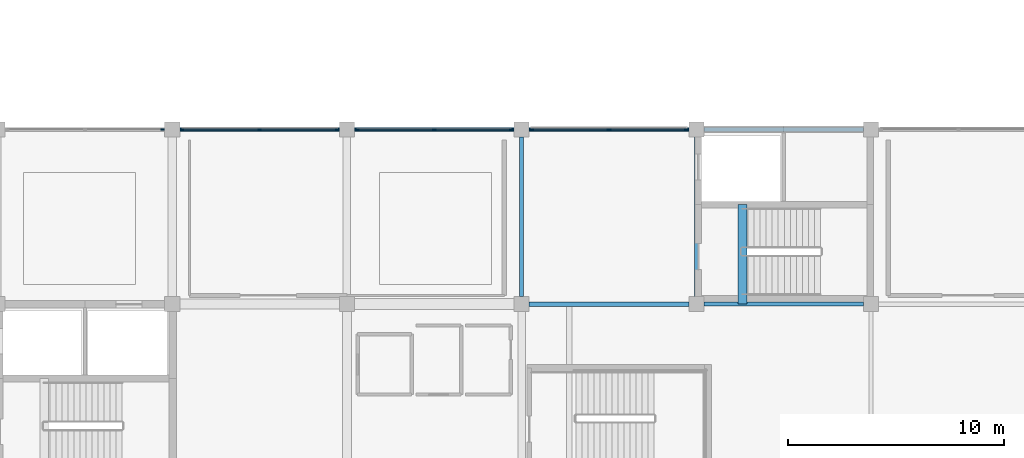
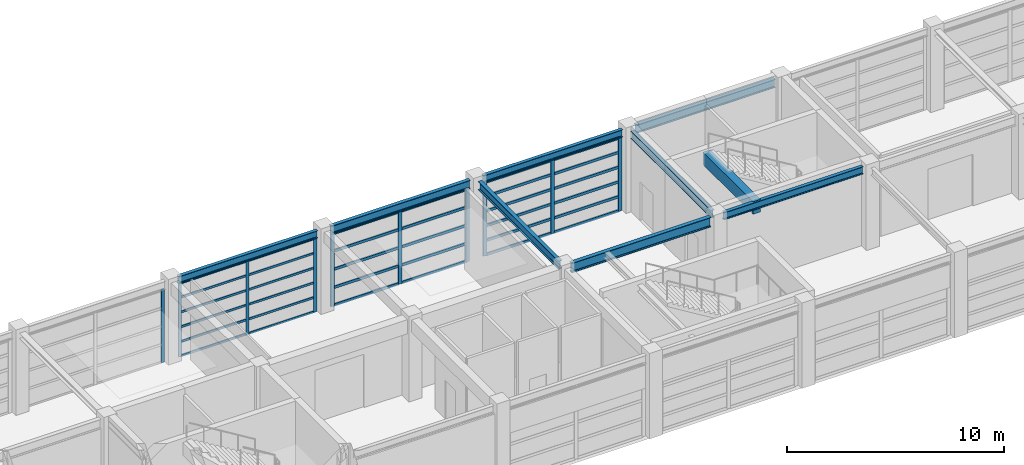
# One storey, part 26 of 56: 44 members, 9 beams, 4 elements without a shape of their own.
"""IFC4 building model written with IfcOpenShell, lengths in metres."""

from ifc_helpers import new_model, si_unit, direction, frame, origin, origin_2d, place, context, subcontext, project, spatial, rectangle, i_section, extrude, material, material_profile, profile_set, type_object, element, aggregate, save


model = new_model("IFC4")

# Units and contexts
model_context = context("Model", 3, precision=1e-05, world=origin(), true_north=direction((0.0, 1.0)))
body_context = subcontext(model_context, "Body", "Model", "MODEL_VIEW")
ifc_project = project(units=[si_unit("LENGTHUNIT", "METRE"), si_unit("AREAUNIT", "SQUARE_METRE"), si_unit("VOLUMEUNIT", "CUBIC_METRE"), si_unit("PLANEANGLEUNIT", "RADIAN"), si_unit("MASSUNIT", "GRAM", prefix="KILO")], contexts=[model_context])

# Site, building, storey
site_placement = place(None, origin())
site = spatial("IfcSite", under=ifc_project, at=site_placement, CompositionType="ELEMENT")
building_placement = place(site_placement, origin())
building = spatial("IfcBuilding", under=site, at=building_placement, Name="Parian Resonance Hall", CompositionType="ELEMENT")
storey_placement = place(building_placement, frame((0.0, 0.0, 5.39990234375)))
storey = spatial("IfcBuildingStorey", under=building, at=storey_placement, Name="L01", CompositionType="ELEMENT", Elevation=5.39990234375)

# Beams
ifc_material_1 = material(Name="Concrete C40/50", Category="concrete")
ifc_material_profile_1 = material_profile(ifc_material_1, rectangle(XDim=0.39990234375, YDim=0.699951171875, at=origin_2d()), Name="RC-BM-400x700")
ifc_profile_set_1 = profile_set([ifc_material_profile_1], Name="Concrete C40/50")
beam_type_1 = type_object("IfcBeamType", Name="BM-RC400x700", PredefinedType="BEAM", material=ifc_profile_set_1)
beam_1_placement = place(storey_placement, frame((91.239990234375, 81.0, 4.210205078125), z_axis=(0.0, 1.0, 0.0), x_axis=(-1.0, 0.0, 0.0)))
element("IfcBeam", 1, at=beam_1_placement, inside=storey, type_object=beam_type_1, Name="Core K5 stair arrival trimmer beam L01", PredefinedType="BEAM", context=body_context, shape_type="SweptSolid", body=[
    extrude(rectangle(XDim=0.39990234375, YDim=0.699951171875, at=origin_2d()), origin(), (0.0, 0.0, 1.0), 4.610107421875),
])
ifc_material_2 = material(Name="Steel S355", Category="steel")
ifc_material_profile_2 = material_profile(ifc_material_2, i_section(OverallWidth=0.180908203125, OverallDepth=0.4169921875, WebThickness=0.010986328125, FlangeThickness=0.018310546875, FilletRadius=0.01513671875, at=origin_2d()), Name="W410x85")
ifc_profile_set_2 = profile_set([ifc_material_profile_2], Name="Steel S355")
beam_type_2 = type_object("IfcBeamType", Name="BM-W410x85", PredefinedType="SPANDREL", material=ifc_profile_set_2)
beam_2_placement = place(storey_placement, frame((65.14990234375, 89.10009765625, 4.3515625), z_axis=(1.0, 0.0, 0.0), x_axis=(0.0, 1.0, 0.0)))
element("IfcBeam", 2, at=beam_2_placement, inside=storey, type_object=beam_type_2, Name="GX-L01-0545", PredefinedType="SPANDREL", context=body_context, shape_type="SweptSolid", body=[
    extrude(i_section(OverallWidth=0.180908203125, OverallDepth=0.4169921875, WebThickness=0.010986328125, FlangeThickness=0.018310546875, FilletRadius=0.01513671875, at=origin_2d()), origin(), (0.0, 0.0, 1.0), 7.400146484375),
])
beam_3_placement = place(storey_placement, frame((81.35009765625, 89.10009765625, 4.3515625), z_axis=(1.0, 0.0, 0.0), x_axis=(0.0, 1.0, 0.0)))
element("IfcBeam", 3, at=beam_3_placement, inside=storey, type_object=beam_type_2, Name="GX-L01-0551", PredefinedType="SPANDREL", context=body_context, shape_type="SweptSolid", body=[
    extrude(i_section(OverallWidth=0.180908203125, OverallDepth=0.4169921875, WebThickness=0.010986328125, FlangeThickness=0.018310546875, FilletRadius=0.01513671875, at=origin_2d()), origin(), (0.0, 0.0, 1.0), 7.39990234375),
])
beam_4_placement = place(storey_placement, frame((89.449951171875, 81.0, 4.3515625), z_axis=(1.0, 0.0, 0.0), x_axis=(0.0, 1.0, 0.0)))
element("IfcBeam", 4, at=beam_4_placement, inside=storey, type_object=beam_type_2, Name="GX-L01-0553", PredefinedType="SPANDREL", context=body_context, shape_type="SweptSolid", body=[
    extrude(i_section(OverallWidth=0.180908203125, OverallDepth=0.4169921875, WebThickness=0.010986328125, FlangeThickness=0.018310546875, FilletRadius=0.01513671875, at=origin_2d()), origin(), (0.0, 0.0, 1.0), 7.400146484375),
])
beam_5_placement = place(storey_placement, frame((89.10009765625, 81.35009765625, 4.3515625), z_axis=(0.0, 1.0, 0.0), x_axis=(-1.0, 0.0, 0.0)))
element("IfcBeam", 5, at=beam_5_placement, inside=storey, type_object=beam_type_2, Name="GY-L01-0615", PredefinedType="SPANDREL", context=body_context, shape_type="SweptSolid", body=[
    extrude(i_section(OverallWidth=0.180908203125, OverallDepth=0.4169921875, WebThickness=0.010986328125, FlangeThickness=0.018310546875, FilletRadius=0.01513671875, at=origin_2d()), origin(), (0.0, 0.0, 1.0), 7.39990234375),
])
ifc_material_3 = material(Name="Steel S355", Category="steel")
ifc_material_profile_3 = material_profile(ifc_material_3, i_section(OverallWidth=0.194091796875, OverallDepth=0.468994140625, WebThickness=0.0126953125, FlangeThickness=0.0205078125, FilletRadius=0.01513671875, at=origin_2d()), Name="W460x106")
ifc_profile_set_3 = profile_set([ifc_material_profile_3], Name="Steel S355")
beam_type_3 = type_object("IfcBeamType", Name="BM-W460x106", PredefinedType="SPANDREL", material=ifc_profile_set_3)
beam_6_placement = place(storey_placement, frame((73.25, 89.10009765625, 4.32568359375), z_axis=(1.0, 0.0, 0.0), x_axis=(0.0, 1.0, 0.0)))
element("IfcBeam", 6, at=beam_6_placement, inside=storey, type_object=beam_type_3, Name="GX-L01-0548", PredefinedType="SPANDREL", context=body_context, shape_type="SweptSolid", body=[
    extrude(i_section(OverallWidth=0.194091796875, OverallDepth=0.468994140625, WebThickness=0.0126953125, FlangeThickness=0.0205078125, FilletRadius=0.01513671875, at=origin_2d()), origin(), (0.0, 0.0, 1.0), 7.39990234375),
])
beam_7_placement = place(storey_placement, frame((89.449951171875, 89.10009765625, 4.32568359375), z_axis=(1.0, 0.0, 0.0), x_axis=(0.0, 1.0, 0.0)))
element("IfcBeam", 7, at=beam_7_placement, inside=storey, type_object=beam_type_3, Name="GX-L01-0554", PredefinedType="SPANDREL", context=body_context, shape_type="SweptSolid", body=[
    extrude(i_section(OverallWidth=0.194091796875, OverallDepth=0.468994140625, WebThickness=0.0126953125, FlangeThickness=0.0205078125, FilletRadius=0.01513671875, at=origin_2d()), origin(), (0.0, 0.0, 1.0), 7.400146484375),
])
beam_8_placement = place(storey_placement, frame((81.0, 81.35009765625, 4.32568359375), z_axis=(0.0, 1.0, 0.0), x_axis=(-1.0, 0.0, 0.0)))
element("IfcBeam", 8, at=beam_8_placement, inside=storey, type_object=beam_type_3, Name="GY-L01-0614", PredefinedType="SPANDREL", context=body_context, shape_type="SweptSolid", body=[
    extrude(i_section(OverallWidth=0.194091796875, OverallDepth=0.468994140625, WebThickness=0.0126953125, FlangeThickness=0.0205078125, FilletRadius=0.01513671875, at=origin_2d()), origin(), (0.0, 0.0, 1.0), 7.39990234375),
])
ifc_material_4 = material(Name="Steel S355", Category="steel")
ifc_material_profile_4 = material_profile(ifc_material_4, i_section(OverallWidth=0.2119140625, OverallDepth=0.5439453125, WebThickness=0.01318359375, FlangeThickness=0.021240234375, FilletRadius=0.017822265625, at=origin_2d()), Name="W530x123")
ifc_profile_set_4 = profile_set([ifc_material_profile_4], Name="Steel S355")
beam_type_4 = type_object("IfcBeamType", Name="BM-W530x123", PredefinedType="USERDEFINED", material=ifc_profile_set_4)
beam_9_placement = place(storey_placement, frame((81.35009765625, 81.0, 4.2880859375), z_axis=(1.0, 0.0, 0.0), x_axis=(0.0, 1.0, 0.0)))
element("IfcBeam", 9, at=beam_9_placement, inside=storey, type_object=beam_type_4, Name="GX-L01-0550", ObjectType="GIRDER", PredefinedType="USERDEFINED", context=body_context, shape_type="SweptSolid", body=[
    extrude(i_section(OverallWidth=0.2119140625, OverallDepth=0.5439453125, WebThickness=0.01318359375, FlangeThickness=0.021240234375, FilletRadius=0.017822265625, at=origin_2d()), origin(), (0.0, 0.0, 1.0), 7.39990234375),
])

# Curtain wall, member
ifc_material_5 = material(Name="Bronze-anodised aluminium frame", Category="aluminium")
curtain_wall_type_1 = type_object("IfcCurtainWallType", Name="CW-SYS-03", PredefinedType="NOTDEFINED", material=ifc_material_5)
curtain_wall_1_placement = place(storey_placement, origin())
curtain_wall_1 = element("IfcCurtainWall", 10, at=curtain_wall_1_placement, inside=storey, type_object=curtain_wall_type_1, Name="Curtain wall CW-L01-087", PredefinedType="NOTDEFINED")
ifc_material_6 = material(Name="Bronze-anodised aluminium frame", Category="aluminium")
ifc_material_profile_5 = material_profile(ifc_material_6, rectangle(XDim=0.06494140625, YDim=0.159912109375, at=origin_2d()), Name="CWM-65x160")
ifc_profile_set_5 = profile_set([ifc_material_profile_5], Name="Bronze-anodised aluminium frame")
member_type_1 = type_object("IfcMemberType", Name="CWM-65x160", PredefinedType="MULLION", material=ifc_profile_set_5)
member_1_placement = place(storey_placement, frame((64.33740234375, 89.10009765625, -0.0078125), z_axis=(0.0, 0.0, 1.0), x_axis=(0.0, 1.0, 0.0)))
member_1 = element("IfcMember", 11, at=member_1_placement, type_object=member_type_1, Name="CW-03 mullion 3", PredefinedType="MULLION", context=body_context, shape_type="SweptSolid", body=[
    extrude(rectangle(XDim=0.06494140625, YDim=0.159912109375, at=origin_2d()), origin(), (0.0, 0.0, 1.0), 4.10302734375),
])
aggregate(curtain_wall_1, [member_1])

# Curtain wall, members
ifc_material_7 = material(Name="Bronze-anodised aluminium frame", Category="aluminium")
curtain_wall_type_2 = type_object("IfcCurtainWallType", Name="CW-SYS-04", PredefinedType="NOTDEFINED", material=ifc_material_7)
curtain_wall_2_placement = place(storey_placement, origin())
curtain_wall_2 = element("IfcCurtainWall", 12, at=curtain_wall_2_placement, inside=storey, type_object=curtain_wall_type_2, Name="Curtain wall CW-L01-091", PredefinedType="NOTDEFINED")
member_2_placement = place(storey_placement, frame((65.262451171875, 89.10009765625, -0.0078125), z_axis=(0.0, 0.0, 1.0), x_axis=(0.0, 1.0, 0.0)))
member_2 = element("IfcMember", 13, at=member_2_placement, type_object=member_type_1, Name="CW-04 mullion 1", PredefinedType="MULLION", context=body_context, shape_type="SweptSolid", body=[
    extrude(rectangle(XDim=0.06494140625, YDim=0.159912109375, at=origin_2d()), origin(), (0.0, 0.0, 1.0), 4.155029296875),
])
member_3_placement = place(storey_placement, frame((68.85009765625, 89.10009765625, -0.0078125), z_axis=(0.0, 0.0, 1.0), x_axis=(0.0, 1.0, 0.0)))
member_3 = element("IfcMember", 14, at=member_3_placement, type_object=member_type_1, Name="CW-04 mullion 2", PredefinedType="MULLION", context=body_context, shape_type="SweptSolid", body=[
    extrude(rectangle(XDim=0.06494140625, YDim=0.159912109375, at=origin_2d()), origin(), (0.0, 0.0, 1.0), 4.155029296875),
])
member_4_placement = place(storey_placement, frame((72.4375, 89.10009765625, -0.0078125), z_axis=(0.0, 0.0, 1.0), x_axis=(0.0, 1.0, 0.0)))
member_4 = element("IfcMember", 15, at=member_4_placement, type_object=member_type_1, Name="CW-04 mullion 3", PredefinedType="MULLION", context=body_context, shape_type="SweptSolid", body=[
    extrude(rectangle(XDim=0.06494140625, YDim=0.159912109375, at=origin_2d()), origin(), (0.0, 0.0, 1.0), 4.155029296875),
])

ifc_material_8 = material(Name="Bronze-anodised aluminium frame", Category="aluminium")
curtain_wall_type_3 = type_object("IfcCurtainWallType", Name="CW-SYS-05", PredefinedType="NOTDEFINED", material=ifc_material_8)
curtain_wall_3_placement = place(storey_placement, origin())
curtain_wall_3 = element("IfcCurtainWall", 16, at=curtain_wall_3_placement, inside=storey, type_object=curtain_wall_type_3, Name="Curtain wall CW-L01-094", PredefinedType="NOTDEFINED")
ifc_material_9 = material(Name="Bronze-anodised aluminium frame", Category="aluminium")
ifc_material_profile_6 = material_profile(ifc_material_9, rectangle(XDim=0.074951171875, YDim=0.199951171875, at=origin_2d()), Name="CWM-75x200")
ifc_profile_set_6 = profile_set([ifc_material_profile_6], Name="Bronze-anodised aluminium frame")
member_type_2 = type_object("IfcMemberType", Name="CWM-75x200", PredefinedType="MULLION", material=ifc_profile_set_6)
member_5_placement = place(storey_placement, frame((73.367431640625, 89.10009765625, -0.0078125), z_axis=(0.0, 0.0, 1.0), x_axis=(0.0, 1.0, 0.0)))
member_5 = element("IfcMember", 17, at=member_5_placement, type_object=member_type_2, Name="CW-05 mullion 1", PredefinedType="MULLION", context=body_context, shape_type="SweptSolid", body=[
    extrude(rectangle(XDim=0.074951171875, YDim=0.199951171875, at=origin_2d()), origin(), (0.0, 0.0, 1.0), 4.10302734375),
])
member_6_placement = place(storey_placement, frame((76.949951171875, 89.10009765625, -0.0078125), z_axis=(0.0, 0.0, 1.0), x_axis=(0.0, 1.0, 0.0)))
member_6 = element("IfcMember", 18, at=member_6_placement, type_object=member_type_2, Name="CW-05 mullion 2", PredefinedType="MULLION", context=body_context, shape_type="SweptSolid", body=[
    extrude(rectangle(XDim=0.074951171875, YDim=0.199951171875, at=origin_2d()), origin(), (0.0, 0.0, 1.0), 4.10302734375),
])
member_7_placement = place(storey_placement, frame((80.532470703125, 89.10009765625, -0.0078125), z_axis=(0.0, 0.0, 1.0), x_axis=(0.0, 1.0, 0.0)))
member_7 = element("IfcMember", 19, at=member_7_placement, type_object=member_type_2, Name="CW-05 mullion 3", PredefinedType="MULLION", context=body_context, shape_type="SweptSolid", body=[
    extrude(rectangle(XDim=0.074951171875, YDim=0.199951171875, at=origin_2d()), origin(), (0.0, 0.0, 1.0), 4.10302734375),
])

ifc_material_10 = material(Name="Bronze-anodised aluminium frame", Category="aluminium")
curtain_wall_type_4 = type_object("IfcCurtainWallType", Name="CW-SYS-06", PredefinedType="NOTDEFINED", material=ifc_material_10)
curtain_wall_4_placement = place(storey_placement, origin())
curtain_wall_4 = element("IfcCurtainWall", 20, at=curtain_wall_4_placement, inside=storey, type_object=curtain_wall_type_4, Name="Curtain wall CW-L01-098", PredefinedType="NOTDEFINED")
member_8_placement = place(storey_placement, frame((81.467529296875, 89.10009765625, -0.0078125), z_axis=(0.0, 0.0, 1.0), x_axis=(0.0, 1.0, 0.0)))
member_8 = element("IfcMember", 21, at=member_8_placement, type_object=member_type_2, Name="CW-06 mullion 1", PredefinedType="MULLION", context=body_context, shape_type="SweptSolid", body=[
    extrude(rectangle(XDim=0.074951171875, YDim=0.199951171875, at=origin_2d()), origin(), (0.0, 0.0, 1.0), 4.155029296875),
])
member_9_placement = place(storey_placement, frame((85.050048828125, 89.10009765625, -0.0078125), z_axis=(0.0, 0.0, 1.0), x_axis=(0.0, 1.0, 0.0)))
member_9 = element("IfcMember", 22, at=member_9_placement, type_object=member_type_2, Name="CW-06 mullion 2", PredefinedType="MULLION", context=body_context, shape_type="SweptSolid", body=[
    extrude(rectangle(XDim=0.074951171875, YDim=0.199951171875, at=origin_2d()), origin(), (0.0, 0.0, 1.0), 4.155029296875),
])
member_10_placement = place(storey_placement, frame((88.632568359375, 89.10009765625, -0.0078125), z_axis=(0.0, 0.0, 1.0), x_axis=(0.0, 1.0, 0.0)))
member_10 = element("IfcMember", 23, at=member_10_placement, type_object=member_type_2, Name="CW-06 mullion 3", PredefinedType="MULLION", context=body_context, shape_type="SweptSolid", body=[
    extrude(rectangle(XDim=0.074951171875, YDim=0.199951171875, at=origin_2d()), origin(), (0.0, 0.0, 1.0), 4.155029296875),
])

# Member
ifc_material_11 = material(Name="Bronze-anodised aluminium frame", Category="aluminium")
ifc_material_profile_7 = material_profile(ifc_material_11, rectangle(XDim=0.06494140625, YDim=0.1201171875, at=origin_2d()), Name="CWT-65x120")
ifc_profile_set_7 = profile_set([ifc_material_profile_7], Name="Bronze-anodised aluminium frame")
member_type_3 = type_object("IfcMemberType", Name="CWT-65x120", PredefinedType="USERDEFINED", material=ifc_profile_set_7)
member_11_placement = place(storey_placement, frame((65.294921875, 89.10009765625, 0.024658203125), z_axis=(1.0, 0.0, 0.0), x_axis=(0.0, 1.0, 0.0)))
member_11 = element("IfcMember", 24, at=member_11_placement, type_object=member_type_3, Name="CW-04 transom 1.1", ObjectType="TRANSOM", PredefinedType="USERDEFINED", context=body_context, shape_type="SweptSolid", body=[
    extrude(rectangle(XDim=0.06494140625, YDim=0.1201171875, at=origin_2d()), origin(), (0.0, 0.0, 1.0), 3.5224609375),
])

member_12_placement = place(storey_placement, frame((65.294921875, 89.10009765625, 0.827392578125), z_axis=(1.0, 0.0, 0.0), x_axis=(0.0, 1.0, 0.0)))
member_12 = element("IfcMember", 25, at=member_12_placement, type_object=member_type_3, Name="CW-04 transom 1.2", ObjectType="TRANSOM", PredefinedType="USERDEFINED", context=body_context, shape_type="SweptSolid", body=[
    extrude(rectangle(XDim=0.06494140625, YDim=0.1201171875, at=origin_2d()), origin(), (0.0, 0.0, 1.0), 3.5224609375),
])

member_13_placement = place(storey_placement, frame((65.294921875, 89.10009765625, 1.65478515625), z_axis=(1.0, 0.0, 0.0), x_axis=(0.0, 1.0, 0.0)))
member_13 = element("IfcMember", 26, at=member_13_placement, type_object=member_type_3, Name="CW-04 transom 1.3", ObjectType="TRANSOM", PredefinedType="USERDEFINED", context=body_context, shape_type="SweptSolid", body=[
    extrude(rectangle(XDim=0.06494140625, YDim=0.1201171875, at=origin_2d()), origin(), (0.0, 0.0, 1.0), 3.5224609375),
])

member_14_placement = place(storey_placement, frame((65.294921875, 89.10009765625, 2.482177734375), z_axis=(1.0, 0.0, 0.0), x_axis=(0.0, 1.0, 0.0)))
member_14 = element("IfcMember", 27, at=member_14_placement, type_object=member_type_3, Name="CW-04 transom 1.4", ObjectType="TRANSOM", PredefinedType="USERDEFINED", context=body_context, shape_type="SweptSolid", body=[
    extrude(rectangle(XDim=0.06494140625, YDim=0.1201171875, at=origin_2d()), origin(), (0.0, 0.0, 1.0), 3.5224609375),
])

member_15_placement = place(storey_placement, frame((65.294921875, 89.10009765625, 3.309814453125), z_axis=(1.0, 0.0, 0.0), x_axis=(0.0, 1.0, 0.0)))
member_15 = element("IfcMember", 28, at=member_15_placement, type_object=member_type_3, Name="CW-04 transom 1.5", ObjectType="TRANSOM", PredefinedType="USERDEFINED", context=body_context, shape_type="SweptSolid", body=[
    extrude(rectangle(XDim=0.06494140625, YDim=0.1201171875, at=origin_2d()), origin(), (0.0, 0.0, 1.0), 3.5224609375),
])

member_16_placement = place(storey_placement, frame((65.294921875, 89.10009765625, 4.114501953125), z_axis=(1.0, 0.0, 0.0), x_axis=(0.0, 1.0, 0.0)))
member_16 = element("IfcMember", 29, at=member_16_placement, type_object=member_type_3, Name="CW-04 transom 1.6", ObjectType="TRANSOM", PredefinedType="USERDEFINED", context=body_context, shape_type="SweptSolid", body=[
    extrude(rectangle(XDim=0.06494140625, YDim=0.1201171875, at=origin_2d()), origin(), (0.0, 0.0, 1.0), 3.5224609375),
])

member_17_placement = place(storey_placement, frame((68.882568359375, 89.10009765625, 0.024658203125), z_axis=(1.0, 0.0, 0.0), x_axis=(0.0, 1.0, 0.0)))
member_17 = element("IfcMember", 30, at=member_17_placement, type_object=member_type_3, Name="CW-04 transom 2.1", ObjectType="TRANSOM", PredefinedType="USERDEFINED", context=body_context, shape_type="SweptSolid", body=[
    extrude(rectangle(XDim=0.06494140625, YDim=0.1201171875, at=origin_2d()), origin(), (0.0, 0.0, 1.0), 3.5224609375),
])

member_18_placement = place(storey_placement, frame((68.882568359375, 89.10009765625, 0.827392578125), z_axis=(1.0, 0.0, 0.0), x_axis=(0.0, 1.0, 0.0)))
member_18 = element("IfcMember", 31, at=member_18_placement, type_object=member_type_3, Name="CW-04 transom 2.2", ObjectType="TRANSOM", PredefinedType="USERDEFINED", context=body_context, shape_type="SweptSolid", body=[
    extrude(rectangle(XDim=0.06494140625, YDim=0.1201171875, at=origin_2d()), origin(), (0.0, 0.0, 1.0), 3.5224609375),
])

member_19_placement = place(storey_placement, frame((68.882568359375, 89.10009765625, 1.65478515625), z_axis=(1.0, 0.0, 0.0), x_axis=(0.0, 1.0, 0.0)))
member_19 = element("IfcMember", 32, at=member_19_placement, type_object=member_type_3, Name="CW-04 transom 2.3", ObjectType="TRANSOM", PredefinedType="USERDEFINED", context=body_context, shape_type="SweptSolid", body=[
    extrude(rectangle(XDim=0.06494140625, YDim=0.1201171875, at=origin_2d()), origin(), (0.0, 0.0, 1.0), 3.5224609375),
])

member_20_placement = place(storey_placement, frame((68.882568359375, 89.10009765625, 2.482177734375), z_axis=(1.0, 0.0, 0.0), x_axis=(0.0, 1.0, 0.0)))
member_20 = element("IfcMember", 33, at=member_20_placement, type_object=member_type_3, Name="CW-04 transom 2.4", ObjectType="TRANSOM", PredefinedType="USERDEFINED", context=body_context, shape_type="SweptSolid", body=[
    extrude(rectangle(XDim=0.06494140625, YDim=0.1201171875, at=origin_2d()), origin(), (0.0, 0.0, 1.0), 3.5224609375),
])

member_21_placement = place(storey_placement, frame((68.882568359375, 89.10009765625, 3.309814453125), z_axis=(1.0, 0.0, 0.0), x_axis=(0.0, 1.0, 0.0)))
member_21 = element("IfcMember", 34, at=member_21_placement, type_object=member_type_3, Name="CW-04 transom 2.5", ObjectType="TRANSOM", PredefinedType="USERDEFINED", context=body_context, shape_type="SweptSolid", body=[
    extrude(rectangle(XDim=0.06494140625, YDim=0.1201171875, at=origin_2d()), origin(), (0.0, 0.0, 1.0), 3.5224609375),
])

member_22_placement = place(storey_placement, frame((68.882568359375, 89.10009765625, 4.114501953125), z_axis=(1.0, 0.0, 0.0), x_axis=(0.0, 1.0, 0.0)))
member_22 = element("IfcMember", 35, at=member_22_placement, type_object=member_type_3, Name="CW-04 transom 2.6", ObjectType="TRANSOM", PredefinedType="USERDEFINED", context=body_context, shape_type="SweptSolid", body=[
    extrude(rectangle(XDim=0.06494140625, YDim=0.1201171875, at=origin_2d()), origin(), (0.0, 0.0, 1.0), 3.5224609375),
])

aggregate(curtain_wall_2, [member_2, member_3, member_4, member_11, member_12, member_13, member_14, member_15, member_16, member_17, member_18, member_19, member_20, member_21, member_22])

ifc_material_12 = material(Name="Bronze-anodised aluminium frame", Category="aluminium")
ifc_material_profile_8 = material_profile(ifc_material_12, rectangle(XDim=0.074951171875, YDim=0.14990234375, at=origin_2d()), Name="CWT-75x150")
ifc_profile_set_8 = profile_set([ifc_material_profile_8], Name="Bronze-anodised aluminium frame")
member_type_4 = type_object("IfcMemberType", Name="CWT-75x150", PredefinedType="USERDEFINED", material=ifc_profile_set_8)
member_23_placement = place(storey_placement, frame((73.405029296875, 89.10009765625, 0.029541015625), z_axis=(1.0, 0.0, 0.0), x_axis=(0.0, 1.0, 0.0)))
member_23 = element("IfcMember", 36, at=member_23_placement, type_object=member_type_4, Name="CW-05 transom 1.1", ObjectType="TRANSOM", PredefinedType="USERDEFINED", context=body_context, shape_type="SweptSolid", body=[
    extrude(rectangle(XDim=0.074951171875, YDim=0.14990234375, at=origin_2d()), origin(), (0.0, 0.0, 1.0), 3.507568359375),
])

member_24_placement = place(storey_placement, frame((73.405029296875, 89.10009765625, 1.021484375), z_axis=(1.0, 0.0, 0.0), x_axis=(0.0, 1.0, 0.0)))
member_24 = element("IfcMember", 37, at=member_24_placement, type_object=member_type_4, Name="CW-05 transom 1.2", ObjectType="TRANSOM", PredefinedType="USERDEFINED", context=body_context, shape_type="SweptSolid", body=[
    extrude(rectangle(XDim=0.074951171875, YDim=0.14990234375, at=origin_2d()), origin(), (0.0, 0.0, 1.0), 3.507568359375),
])

member_25_placement = place(storey_placement, frame((73.405029296875, 89.10009765625, 2.04248046875), z_axis=(1.0, 0.0, 0.0), x_axis=(0.0, 1.0, 0.0)))
member_25 = element("IfcMember", 38, at=member_25_placement, type_object=member_type_4, Name="CW-05 transom 1.3", ObjectType="TRANSOM", PredefinedType="USERDEFINED", context=body_context, shape_type="SweptSolid", body=[
    extrude(rectangle(XDim=0.074951171875, YDim=0.14990234375, at=origin_2d()), origin(), (0.0, 0.0, 1.0), 3.507568359375),
])

member_26_placement = place(storey_placement, frame((73.405029296875, 89.10009765625, 3.063720703125), z_axis=(1.0, 0.0, 0.0), x_axis=(0.0, 1.0, 0.0)))
member_26 = element("IfcMember", 39, at=member_26_placement, type_object=member_type_4, Name="CW-05 transom 1.4", ObjectType="TRANSOM", PredefinedType="USERDEFINED", context=body_context, shape_type="SweptSolid", body=[
    extrude(rectangle(XDim=0.074951171875, YDim=0.14990234375, at=origin_2d()), origin(), (0.0, 0.0, 1.0), 3.507568359375),
])

member_27_placement = place(storey_placement, frame((73.405029296875, 89.10009765625, 4.0576171875), z_axis=(1.0, 0.0, 0.0), x_axis=(0.0, 1.0, 0.0)))
member_27 = element("IfcMember", 40, at=member_27_placement, type_object=member_type_4, Name="CW-05 transom 1.5", ObjectType="TRANSOM", PredefinedType="USERDEFINED", context=body_context, shape_type="SweptSolid", body=[
    extrude(rectangle(XDim=0.074951171875, YDim=0.14990234375, at=origin_2d()), origin(), (0.0, 0.0, 1.0), 3.507568359375),
])

member_28_placement = place(storey_placement, frame((76.987548828125, 89.10009765625, 0.029541015625), z_axis=(1.0, 0.0, 0.0), x_axis=(0.0, 1.0, 0.0)))
member_28 = element("IfcMember", 41, at=member_28_placement, type_object=member_type_4, Name="CW-05 transom 2.1", ObjectType="TRANSOM", PredefinedType="USERDEFINED", context=body_context, shape_type="SweptSolid", body=[
    extrude(rectangle(XDim=0.074951171875, YDim=0.14990234375, at=origin_2d()), origin(), (0.0, 0.0, 1.0), 3.507568359375),
])

member_29_placement = place(storey_placement, frame((76.987548828125, 89.10009765625, 1.021484375), z_axis=(1.0, 0.0, 0.0), x_axis=(0.0, 1.0, 0.0)))
member_29 = element("IfcMember", 42, at=member_29_placement, type_object=member_type_4, Name="CW-05 transom 2.2", ObjectType="TRANSOM", PredefinedType="USERDEFINED", context=body_context, shape_type="SweptSolid", body=[
    extrude(rectangle(XDim=0.074951171875, YDim=0.14990234375, at=origin_2d()), origin(), (0.0, 0.0, 1.0), 3.507568359375),
])

member_30_placement = place(storey_placement, frame((76.987548828125, 89.10009765625, 2.04248046875), z_axis=(1.0, 0.0, 0.0), x_axis=(0.0, 1.0, 0.0)))
member_30 = element("IfcMember", 43, at=member_30_placement, type_object=member_type_4, Name="CW-05 transom 2.3", ObjectType="TRANSOM", PredefinedType="USERDEFINED", context=body_context, shape_type="SweptSolid", body=[
    extrude(rectangle(XDim=0.074951171875, YDim=0.14990234375, at=origin_2d()), origin(), (0.0, 0.0, 1.0), 3.507568359375),
])

member_31_placement = place(storey_placement, frame((76.987548828125, 89.10009765625, 3.063720703125), z_axis=(1.0, 0.0, 0.0), x_axis=(0.0, 1.0, 0.0)))
member_31 = element("IfcMember", 44, at=member_31_placement, type_object=member_type_4, Name="CW-05 transom 2.4", ObjectType="TRANSOM", PredefinedType="USERDEFINED", context=body_context, shape_type="SweptSolid", body=[
    extrude(rectangle(XDim=0.074951171875, YDim=0.14990234375, at=origin_2d()), origin(), (0.0, 0.0, 1.0), 3.507568359375),
])

member_32_placement = place(storey_placement, frame((76.987548828125, 89.10009765625, 4.0576171875), z_axis=(1.0, 0.0, 0.0), x_axis=(0.0, 1.0, 0.0)))
member_32 = element("IfcMember", 45, at=member_32_placement, type_object=member_type_4, Name="CW-05 transom 2.5", ObjectType="TRANSOM", PredefinedType="USERDEFINED", context=body_context, shape_type="SweptSolid", body=[
    extrude(rectangle(XDim=0.074951171875, YDim=0.14990234375, at=origin_2d()), origin(), (0.0, 0.0, 1.0), 3.507568359375),
])

aggregate(curtain_wall_3, [member_5, member_6, member_7, member_23, member_24, member_25, member_26, member_27, member_28, member_29, member_30, member_31, member_32])

member_33_placement = place(storey_placement, frame((81.5048828125, 89.10009765625, 0.029541015625), z_axis=(1.0, 0.0, 0.0), x_axis=(0.0, 1.0, 0.0)))
member_33 = element("IfcMember", 46, at=member_33_placement, type_object=member_type_4, Name="CW-06 transom 1.1", ObjectType="TRANSOM", PredefinedType="USERDEFINED", context=body_context, shape_type="SweptSolid", body=[
    extrude(rectangle(XDim=0.074951171875, YDim=0.14990234375, at=origin_2d()), origin(), (0.0, 0.0, 1.0), 3.507568359375),
])

member_34_placement = place(storey_placement, frame((81.5048828125, 89.10009765625, 0.827392578125), z_axis=(1.0, 0.0, 0.0), x_axis=(0.0, 1.0, 0.0)))
member_34 = element("IfcMember", 47, at=member_34_placement, type_object=member_type_4, Name="CW-06 transom 1.2", ObjectType="TRANSOM", PredefinedType="USERDEFINED", context=body_context, shape_type="SweptSolid", body=[
    extrude(rectangle(XDim=0.074951171875, YDim=0.14990234375, at=origin_2d()), origin(), (0.0, 0.0, 1.0), 3.507568359375),
])

member_35_placement = place(storey_placement, frame((81.5048828125, 89.10009765625, 1.65478515625), z_axis=(1.0, 0.0, 0.0), x_axis=(0.0, 1.0, 0.0)))
member_35 = element("IfcMember", 48, at=member_35_placement, type_object=member_type_4, Name="CW-06 transom 1.3", ObjectType="TRANSOM", PredefinedType="USERDEFINED", context=body_context, shape_type="SweptSolid", body=[
    extrude(rectangle(XDim=0.074951171875, YDim=0.14990234375, at=origin_2d()), origin(), (0.0, 0.0, 1.0), 3.507568359375),
])

member_36_placement = place(storey_placement, frame((81.5048828125, 89.10009765625, 2.482177734375), z_axis=(1.0, 0.0, 0.0), x_axis=(0.0, 1.0, 0.0)))
member_36 = element("IfcMember", 49, at=member_36_placement, type_object=member_type_4, Name="CW-06 transom 1.4", ObjectType="TRANSOM", PredefinedType="USERDEFINED", context=body_context, shape_type="SweptSolid", body=[
    extrude(rectangle(XDim=0.074951171875, YDim=0.14990234375, at=origin_2d()), origin(), (0.0, 0.0, 1.0), 3.507568359375),
])

member_37_placement = place(storey_placement, frame((81.5048828125, 89.10009765625, 3.309814453125), z_axis=(1.0, 0.0, 0.0), x_axis=(0.0, 1.0, 0.0)))
member_37 = element("IfcMember", 50, at=member_37_placement, type_object=member_type_4, Name="CW-06 transom 1.5", ObjectType="TRANSOM", PredefinedType="USERDEFINED", context=body_context, shape_type="SweptSolid", body=[
    extrude(rectangle(XDim=0.074951171875, YDim=0.14990234375, at=origin_2d()), origin(), (0.0, 0.0, 1.0), 3.507568359375),
])

member_38_placement = place(storey_placement, frame((81.5048828125, 89.10009765625, 4.109619140625), z_axis=(1.0, 0.0, 0.0), x_axis=(0.0, 1.0, 0.0)))
member_38 = element("IfcMember", 51, at=member_38_placement, type_object=member_type_4, Name="CW-06 transom 1.6", ObjectType="TRANSOM", PredefinedType="USERDEFINED", context=body_context, shape_type="SweptSolid", body=[
    extrude(rectangle(XDim=0.074951171875, YDim=0.14990234375, at=origin_2d()), origin(), (0.0, 0.0, 1.0), 3.507568359375),
])

member_39_placement = place(storey_placement, frame((85.08740234375, 89.10009765625, 0.029541015625), z_axis=(1.0, 0.0, 0.0), x_axis=(0.0, 1.0, 0.0)))
member_39 = element("IfcMember", 52, at=member_39_placement, type_object=member_type_4, Name="CW-06 transom 2.1", ObjectType="TRANSOM", PredefinedType="USERDEFINED", context=body_context, shape_type="SweptSolid", body=[
    extrude(rectangle(XDim=0.074951171875, YDim=0.14990234375, at=origin_2d()), origin(), (0.0, 0.0, 1.0), 3.507568359375),
])

member_40_placement = place(storey_placement, frame((85.08740234375, 89.10009765625, 0.827392578125), z_axis=(1.0, 0.0, 0.0), x_axis=(0.0, 1.0, 0.0)))
member_40 = element("IfcMember", 53, at=member_40_placement, type_object=member_type_4, Name="CW-06 transom 2.2", ObjectType="TRANSOM", PredefinedType="USERDEFINED", context=body_context, shape_type="SweptSolid", body=[
    extrude(rectangle(XDim=0.074951171875, YDim=0.14990234375, at=origin_2d()), origin(), (0.0, 0.0, 1.0), 3.507568359375),
])

member_41_placement = place(storey_placement, frame((85.08740234375, 89.10009765625, 1.65478515625), z_axis=(1.0, 0.0, 0.0), x_axis=(0.0, 1.0, 0.0)))
member_41 = element("IfcMember", 54, at=member_41_placement, type_object=member_type_4, Name="CW-06 transom 2.3", ObjectType="TRANSOM", PredefinedType="USERDEFINED", context=body_context, shape_type="SweptSolid", body=[
    extrude(rectangle(XDim=0.074951171875, YDim=0.14990234375, at=origin_2d()), origin(), (0.0, 0.0, 1.0), 3.507568359375),
])

member_42_placement = place(storey_placement, frame((85.08740234375, 89.10009765625, 2.482177734375), z_axis=(1.0, 0.0, 0.0), x_axis=(0.0, 1.0, 0.0)))
member_42 = element("IfcMember", 55, at=member_42_placement, type_object=member_type_4, Name="CW-06 transom 2.4", ObjectType="TRANSOM", PredefinedType="USERDEFINED", context=body_context, shape_type="SweptSolid", body=[
    extrude(rectangle(XDim=0.074951171875, YDim=0.14990234375, at=origin_2d()), origin(), (0.0, 0.0, 1.0), 3.507568359375),
])

member_43_placement = place(storey_placement, frame((85.08740234375, 89.10009765625, 3.309814453125), z_axis=(1.0, 0.0, 0.0), x_axis=(0.0, 1.0, 0.0)))
member_43 = element("IfcMember", 56, at=member_43_placement, type_object=member_type_4, Name="CW-06 transom 2.5", ObjectType="TRANSOM", PredefinedType="USERDEFINED", context=body_context, shape_type="SweptSolid", body=[
    extrude(rectangle(XDim=0.074951171875, YDim=0.14990234375, at=origin_2d()), origin(), (0.0, 0.0, 1.0), 3.507568359375),
])

member_44_placement = place(storey_placement, frame((85.08740234375, 89.10009765625, 4.109619140625), z_axis=(1.0, 0.0, 0.0), x_axis=(0.0, 1.0, 0.0)))
member_44 = element("IfcMember", 57, at=member_44_placement, type_object=member_type_4, Name="CW-06 transom 2.6", ObjectType="TRANSOM", PredefinedType="USERDEFINED", context=body_context, shape_type="SweptSolid", body=[
    extrude(rectangle(XDim=0.074951171875, YDim=0.14990234375, at=origin_2d()), origin(), (0.0, 0.0, 1.0), 3.507568359375),
])

aggregate(curtain_wall_4, [member_8, member_9, member_10, member_33, member_34, member_35, member_36, member_37, member_38, member_39, member_40, member_41, member_42, member_43, member_44])

save(model, "model.ifc")
